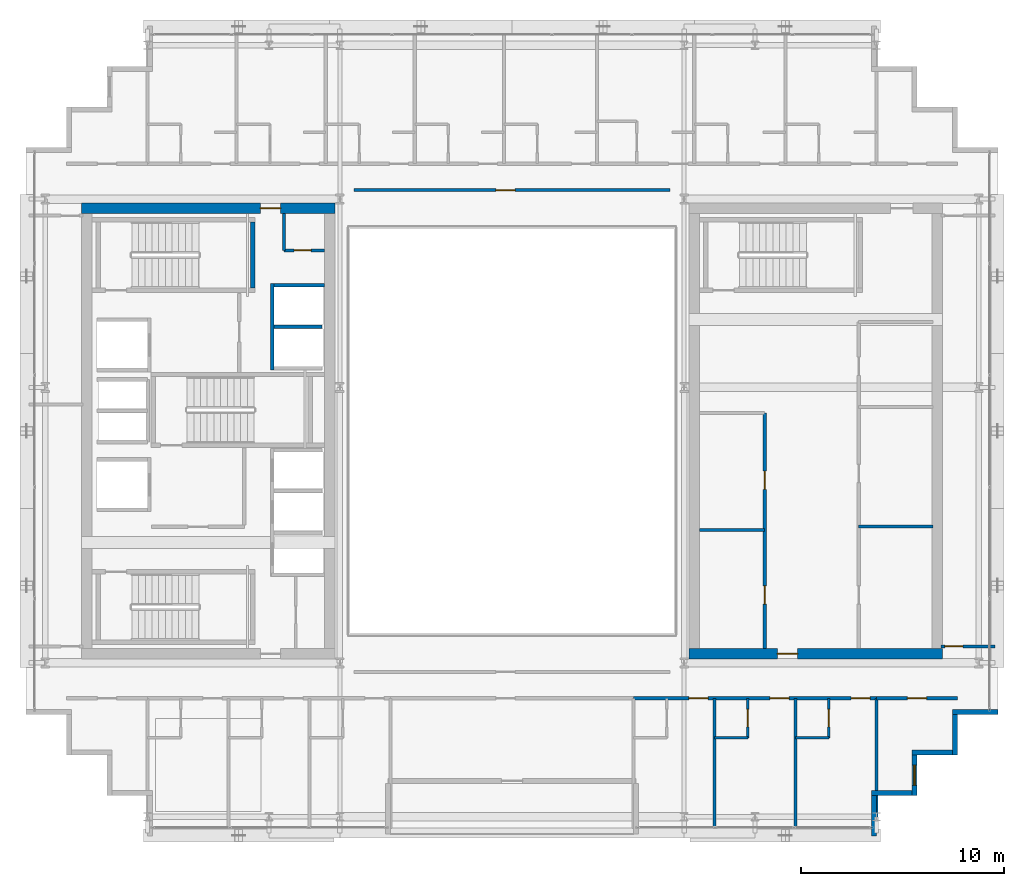
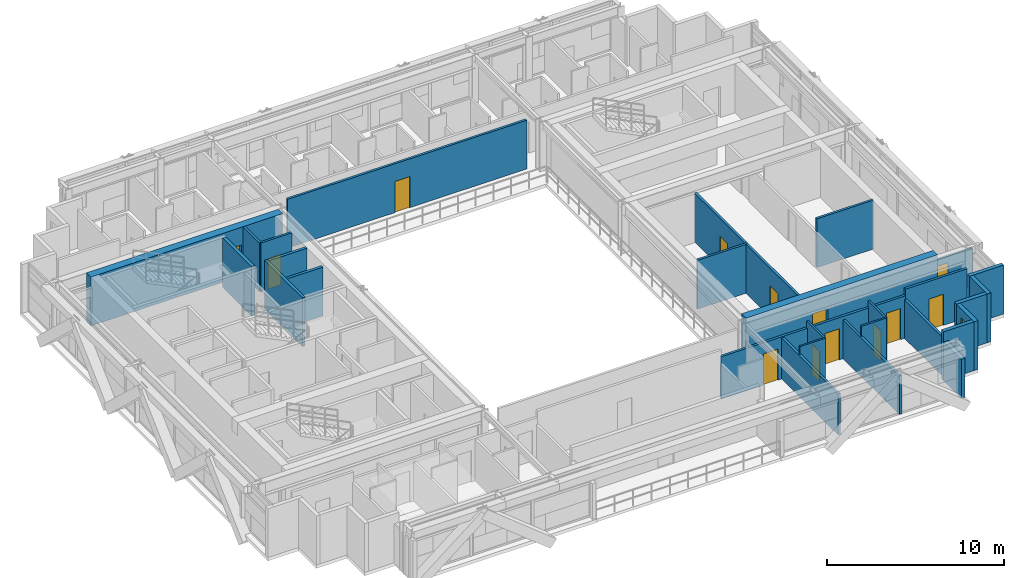
# One storey, part 25 of 32: 28 walls, 13 doors, 1 window, 14 openings.
"""IFC4 building model written with IfcOpenShell, lengths in metres."""

from ifc_helpers import new_model, si_unit, direction, frame, frame_2d, origin, place, context, subcontext, project, spatial, rectangle, extrude, source, transform, mapped, material, layer, layer_set, type_object, element, fill, save


model = new_model("IFC4")

# Units and contexts
model_context = context("Model", 3, precision=1e-05, world=origin(), true_north=direction((0.0, 1.0)))
body_context = subcontext(model_context, "Body", "Model", "MODEL_VIEW")
ifc_project = project(units=[si_unit("LENGTHUNIT", "METRE"), si_unit("AREAUNIT", "SQUARE_METRE"), si_unit("VOLUMEUNIT", "CUBIC_METRE"), si_unit("PLANEANGLEUNIT", "RADIAN"), si_unit("MASSUNIT", "GRAM", prefix="KILO")], contexts=[model_context])

# Site, building, storey
site_placement = place(None, origin())
site = spatial("IfcSite", under=ifc_project, at=site_placement, CompositionType="ELEMENT")
building_placement = place(site_placement, origin())
building = spatial("IfcBuilding", under=site, at=building_placement, Name="Ocotamira Hotel", CompositionType="ELEMENT")
storey_placement = place(building_placement, frame((0.0, 0.0, 166.800048828125)))
storey = spatial("IfcBuildingStorey", under=building, at=storey_placement, Name="L41", CompositionType="ELEMENT", Elevation=166.800048828125)

# Wall, opening, door
ifc_material_1 = material(Name="Concrete C50/60", Category="concrete")
ifc_layer_1 = layer(ifc_material_1, 0.5)
ifc_layer_set_1 = layer_set([ifc_layer_1], Name="Concrete C50/60")
wall_type_1 = type_object("IfcWallType", Name="WL-CORE-500", PredefinedType="SHEAR", material=ifc_layer_set_1)
wall_1_placement = place(storey_placement, frame((10.75, 37.0, 0.0), z_axis=(0.0, 0.0, 1.0), x_axis=(1.0, 0.0, 0.0)))
wall_1 = element("IfcWall", 1, at=wall_1_placement, inside=storey, type_object=wall_type_1, Name="L41 Shear Core Wall WCORE-N", PredefinedType="SHEAR", context=body_context, shape_type="SweptSolid", body=[
    extrude(rectangle(XDim=12.5, YDim=0.5, at=frame_2d((6.25, 0.0))), origin(), (0.0, 0.0, 1.0), 3.369873046875),
])
opening_1_placement = place(wall_1_placement, frame((8.830078125, 0.0, 0.0)))
opening_1 = element("IfcOpeningElement", 2, at=opening_1_placement, cuts=wall_1, Name="Opening D-FR2", PredefinedType="OPENING", context=body_context, shape_type="SweptSolid", body=[
    extrude(rectangle(XDim=1.0, YDim=2.14990234375, at=frame_2d((0.5, 1.074951171875))), frame((0.0, 0.260009765625, 0.0), z_axis=(0.0, -1.0, 0.0), x_axis=(1.0, 0.0, 0.0)), (0.0, 0.0, 1.0), 0.52001953125),
])
ifc_material_2 = material(Name="Fire-rated acoustic timber-veneer door", Category="wood")
door_type_1 = type_object("IfcDoorType", Name="DR-FIRE-1000", OperationType="NOTDEFINED", PredefinedType="DOOR", material=ifc_material_2)
shared_shape_1 = source(origin(), body_context, "Body", "SweptSolid", [
    extrude(rectangle(XDim=1.0, YDim=2.14990234375, at=frame_2d((0.5, 1.074951171875))), frame((0.0, 0.02490234375, 0.0), z_axis=(0.0, -1.0, 0.0), x_axis=(1.0, 0.0, 0.0)), (0.0, 0.0, 1.0), 0.050048828125),
])
door_1_placement = place(opening_1_placement, origin())
door_1 = element("IfcDoor", 3, at=door_1_placement, inside=storey, type_object=door_type_1, Name="L41 Door ID-L41-WLOB-N-D [ID-L41-WLOB-N-D]", OperationType="SINGLE_SWING_RIGHT", OverallHeight=2.14990234375, OverallWidth=1.0, PredefinedType="DOOR", context=body_context, shape_type="MappedRepresentation", body=[
    mapped(shared_shape_1, transform((0.0, 0.0, 0.0), scale=1.0)),
])
fill(opening_1, door_1)

wall_2_placement = place(storey_placement, frame((40.75, 15.0, 0.0), z_axis=(0.0, 0.0, 1.0), x_axis=(1.0, 0.0, 0.0)))
wall_2 = element("IfcWall", 4, at=wall_2_placement, inside=storey, type_object=wall_type_1, Name="L41 Shear Core Wall ECORE-S", PredefinedType="SHEAR", context=body_context, shape_type="SweptSolid", body=[
    extrude(rectangle(XDim=12.5, YDim=0.5, at=frame_2d((6.25, 0.0))), origin(), (0.0, 0.0, 1.0), 3.369873046875),
])
opening_2_placement = place(wall_2_placement, frame((4.35009765625, 0.0, 0.0)))
opening_2 = element("IfcOpeningElement", 5, at=opening_2_placement, cuts=wall_2, Name="Opening D-FR2", PredefinedType="OPENING", context=body_context, shape_type="SweptSolid", body=[
    extrude(rectangle(XDim=1.0, YDim=2.14990234375, at=frame_2d((0.5, 1.074951171875))), frame((0.0, 0.260009765625, 0.0), z_axis=(0.0, -1.0, 0.0), x_axis=(1.0, 0.0, 0.0)), (0.0, 0.0, 1.0), 0.52001953125),
])
door_2_placement = place(opening_2_placement, origin())
door_2 = element("IfcDoor", 6, at=door_2_placement, inside=storey, type_object=door_type_1, Name="L41 Door ID-L41-ELOB-S-D [ID-L41-ELOB-S-D]", OperationType="SINGLE_SWING_RIGHT", OverallHeight=2.14990234375, OverallWidth=1.0, PredefinedType="DOOR", context=body_context, shape_type="MappedRepresentation", body=[
    mapped(shared_shape_1, transform((0.0, 0.0, 0.0), scale=1.0)),
])
fill(opening_2, door_2)

# Walls
ifc_material_3 = material(Name="Precast concrete C45/55", Category="concrete")
ifc_layer_2 = layer(ifc_material_3, 0.25)
ifc_layer_set_2 = layer_set([ifc_layer_2], Name="Precast concrete C45/55")
wall_type_2 = type_object("IfcWallType", Name="WL-EXT-SER-250", PredefinedType="SOLIDWALL", material=ifc_layer_set_2)
wall_3_placement = place(storey_placement, frame((49.875, 6.0, 0.0), z_axis=(0.0, 0.0, 1.0), x_axis=(0.0, 1.0, 0.0)))
element("IfcWall", 7, at=wall_3_placement, inside=storey, type_object=wall_type_2, Name="L41 Serrated Corner Wall 01", PredefinedType="SOLIDWALL", context=body_context, shape_type="SweptSolid", body=[
    extrude(rectangle(XDim=2.0, YDim=0.25, at=frame_2d((1.0, 0.0))), origin(), (0.0, 0.0, 1.0), 2.677001953125),
])
wall_4_placement = place(storey_placement, frame((49.75, 8.125, 0.0), z_axis=(0.0, 0.0, 1.0), x_axis=(1.0, 0.0, 0.0)))
element("IfcWall", 8, at=wall_4_placement, inside=storey, type_object=wall_type_2, Name="L41 Serrated Corner Wall 02", PredefinedType="SOLIDWALL", context=body_context, shape_type="SweptSolid", body=[
    extrude(rectangle(XDim=2.0, YDim=0.25, at=frame_2d((1.0, 0.0))), origin(), (0.0, 0.0, 1.0), 3.369873046875),
])

# Wall, opening, window
wall_5_placement = place(storey_placement, frame((51.875, 8.0, 0.0), z_axis=(0.0, 0.0, 1.0), x_axis=(0.0, 1.0, 0.0)))
wall_5 = element("IfcWall", 9, at=wall_5_placement, inside=storey, type_object=wall_type_2, Name="L41 Serrated Corner Wall 03", PredefinedType="SOLIDWALL", context=body_context, shape_type="SweptSolid", body=[
    extrude(rectangle(XDim=2.0, YDim=0.25, at=frame_2d((1.0, 0.0))), origin(), (0.0, 0.0, 1.0), 3.369873046875),
])
opening_3_placement = place(wall_5_placement, frame((0.5, 0.0, 0.85009765625)))
opening_3 = element("IfcOpeningElement", 10, at=opening_3_placement, cuts=wall_5, Name="Opening WN-2", PredefinedType="OPENING", context=body_context, shape_type="SweptSolid", body=[
    extrude(rectangle(XDim=1.0, YDim=1.89990234375, at=frame_2d((0.5, 0.949951171875))), frame((0.0, 0.135009765625, 0.0), z_axis=(0.0, -1.0, 0.0), x_axis=(1.0, 0.0, 0.0)), (0.0, 0.0, 1.0), 0.27001953125),
])
ifc_material_4 = material(Name="Double-silver low-E solar glass", Category="glass")
window_type = type_object("IfcWindowType", Name="WIN-SER-1100", PartitioningType="SINGLE_PANEL", PredefinedType="WINDOW", material=ifc_material_4)
shared_shape_2 = source(origin(), body_context, "Body", "SweptSolid", [
    extrude(rectangle(XDim=1.0, YDim=1.89990234375, at=frame_2d((0.5, 0.949951171875))), frame((0.0, 0.030029296875, 0.0), z_axis=(0.0, -1.0, 0.0), x_axis=(1.0, 0.0, 0.0)), (0.0, 0.0, 1.0), 0.06005859375),
])
window_placement = place(opening_3_placement, origin())
window = element("IfcWindow", 11, at=window_placement, inside=storey, type_object=window_type, Name="L41 Serrated Corner Window 03", OverallHeight=1.89990234375, OverallWidth=1.0, PartitioningType="SINGLE_PANEL", PredefinedType="WINDOW", context=body_context, shape_type="MappedRepresentation", body=[
    mapped(shared_shape_2, transform((0.0, 0.0, 0.0), scale=1.0)),
])
fill(opening_3, window)

# Walls
for number, where, z_axis, x_axis, name in (
    (12, (51.75, 10.125, 0.0), (0.0, 0.0, 1.0), (1.0, 0.0, 0.0), "L41 Serrated Corner Wall 04"),
    (13, (53.875, 10.0, 0.0), (0.0, 0.0, 1.0), (0.0, 1.0, 0.0), "L41 Serrated Corner Wall 05"),
):
    element("IfcWall", number, at=place(storey_placement, frame(where, z_axis=z_axis, x_axis=x_axis)), inside=storey, type_object=wall_type_2, Name=name, PredefinedType="SOLIDWALL", context=body_context, shape_type="SweptSolid", body=[
        extrude(rectangle(XDim=2.0, YDim=0.25, at=frame_2d((1.0, 0.0))), origin(), (0.0, 0.0, 1.0), 3.369873046875),
    ])
wall_6_placement = place(storey_placement, frame((53.75, 12.125, 0.0), z_axis=(0.0, 0.0, 1.0), x_axis=(1.0, 0.0, 0.0)))
element("IfcWall", 14, at=wall_6_placement, inside=storey, type_object=wall_type_2, Name="L41 Serrated Corner Wall 06", PredefinedType="SOLIDWALL", context=body_context, shape_type="SweptSolid", body=[
    extrude(rectangle(XDim=2.25, YDim=0.25, at=frame_2d((1.125, 0.0))), origin(), (0.0, 0.0, 1.0), 3.369873046875),
])

# Wall, opening, door
ifc_material_5 = material(Name="Acoustic double-layer fire gypsum board partition", Category="gypsum")
ifc_layer_3 = layer(ifc_material_5, 0.159912109375)
ifc_layer_set_3 = layer_set([ifc_layer_3], Name="Acoustic double-layer fire gypsum board partition")
wall_type_3 = type_object("IfcWallType", Name="WL-FIRE-160", PredefinedType="PARTITIONING", material=ifc_layer_set_3)
wall_7_placement = place(storey_placement, frame((50.0, 12.800048828125, 0.0), z_axis=(0.0, 0.0, 1.0), x_axis=(1.0, 0.0, 0.0)))
wall_7 = element("IfcWall", 15, at=wall_7_placement, inside=storey, type_object=wall_type_3, Name="L41 Interior Wall PW-L41-Z3A-CSE-CW", PredefinedType="PARTITIONING", context=body_context, shape_type="SweptSolid", body=[
    extrude(rectangle(XDim=4.0, YDim=0.159912109375, at=frame_2d((2.0, 0.0))), origin(), (0.0, 0.0, 1.0), 3.369873046875),
])
opening_4_placement = place(wall_7_placement, frame((1.52001953125, 0.0, 0.0)))
opening_4 = element("IfcOpeningElement", 16, at=opening_4_placement, cuts=wall_7, Name="Opening D-SV4", PredefinedType="OPENING", context=body_context, shape_type="SweptSolid", body=[
    extrude(rectangle(XDim=0.9599609375, YDim=2.14990234375, at=frame_2d((0.47998046875, 1.074951171875))), frame((0.0, 0.08984375, 0.0), z_axis=(0.0, -1.0, 0.0), x_axis=(1.0, 0.0, 0.0)), (0.0, 0.0, 1.0), 0.179931640625),
])
ifc_material_6 = material(Name="Fire-rated accessible walnut salon door", Category="wood")
door_type_2 = type_object("IfcDoorType", Name="DR-SERV-960", OperationType="NOTDEFINED", PredefinedType="DOOR", material=ifc_material_6)
shared_shape_3 = source(origin(), body_context, "Body", "SweptSolid", [
    extrude(rectangle(XDim=0.9599609375, YDim=2.14990234375, at=frame_2d((0.47998046875, 1.074951171875))), frame((0.0, 0.02490234375, 0.0), z_axis=(0.0, -1.0, 0.0), x_axis=(1.0, 0.0, 0.0)), (0.0, 0.0, 1.0), 0.050048828125),
])
door_3_placement = place(opening_4_placement, origin())
door_3 = element("IfcDoor", 17, at=door_3_placement, inside=storey, type_object=door_type_2, Name="L41 Door ID-L41-Z3A-CSE-CD [ID-L41-Z3A-CSE-CD]", OperationType="SINGLE_SWING_LEFT", OverallHeight=2.14990234375, OverallWidth=0.9599609375, PredefinedType="DOOR", context=body_context, shape_type="MappedRepresentation", body=[
    mapped(shared_shape_3, transform((0.0, 0.0, 0.0), scale=1.0)),
])
fill(opening_4, door_3)

# Wall, openings, doors
wall_8_placement = place(storey_placement, frame((38.0, 12.800048828125, 0.0), z_axis=(0.0, 0.0, 1.0), x_axis=(1.0, 0.0, 0.0)))
wall_8 = element("IfcWall", 18, at=wall_8_placement, inside=storey, type_object=wall_type_3, Name="L41 Interior Wall PW-L41-Z3ASE-CORRW", PredefinedType="PARTITIONING", context=body_context, shape_type="SweptSolid", body=[
    extrude(rectangle(XDim=12.0, YDim=0.159912109375, at=frame_2d((6.0, 0.0))), origin(), (0.0, 0.0, 1.0), 2.912841796875),
])
opening_5_placement = place(wall_8_placement, frame((2.739990234375, 0.0, 0.0)))
opening_5 = element("IfcOpeningElement", 19, at=opening_5_placement, cuts=wall_8, Name="Opening D-GR1", PredefinedType="OPENING", context=body_context, shape_type="SweptSolid", body=[
    extrude(rectangle(XDim=0.93994140625, YDim=2.14990234375, at=frame_2d((0.469970703125, 1.074951171875))), frame((0.0, 0.08984375, 0.0), z_axis=(0.0, -1.0, 0.0), x_axis=(1.0, 0.0, 0.0)), (0.0, 0.0, 1.0), 0.179931640625),
])
opening_6_placement = place(wall_8_placement, frame((6.739990234375, 0.0, 0.0)))
opening_6 = element("IfcOpeningElement", 20, at=opening_6_placement, cuts=wall_8, Name="Opening D-GR1", PredefinedType="OPENING", context=body_context, shape_type="SweptSolid", body=[
    extrude(rectangle(XDim=0.93994140625, YDim=2.14990234375, at=frame_2d((0.469970703125, 1.074951171875))), frame((0.0, 0.08984375, 0.0), z_axis=(0.0, -1.0, 0.0), x_axis=(1.0, 0.0, 0.0)), (0.0, 0.0, 1.0), 0.179931640625),
])
opening_7_placement = place(wall_8_placement, frame((10.739990234375, 0.0, 0.0)))
opening_7 = element("IfcOpeningElement", 21, at=opening_7_placement, cuts=wall_8, Name="Opening D-GR1", PredefinedType="OPENING", context=body_context, shape_type="SweptSolid", body=[
    extrude(rectangle(XDim=0.93994140625, YDim=2.14990234375, at=frame_2d((0.469970703125, 1.074951171875))), frame((0.0, 0.08984375, 0.0), z_axis=(0.0, -1.0, 0.0), x_axis=(1.0, 0.0, 0.0)), (0.0, 0.0, 1.0), 0.179931640625),
])
ifc_material_7 = material(Name="Solid-core walnut suite entrance fire door", Category="wood")
door_type_3 = type_object("IfcDoorType", Name="DR-GUEST-940", OperationType="NOTDEFINED", PredefinedType="DOOR", material=ifc_material_7)
shared_shape_4 = source(origin(), body_context, "Body", "SweptSolid", [
    extrude(rectangle(XDim=0.93994140625, YDim=2.14990234375, at=frame_2d((0.469970703125, 1.074951171875))), frame((0.0, 0.02490234375, 0.0), z_axis=(0.0, -1.0, 0.0), x_axis=(1.0, 0.0, 0.0)), (0.0, 0.0, 1.0), 0.050048828125),
])
door_4_placement = place(opening_5_placement, origin())
door_4 = element("IfcDoor", 22, at=door_4_placement, inside=storey, type_object=door_type_3, Name="L41 Door ID-L41-Z3ASE-RMD1 [ID-L41-Z3ASE-RMD1]", OperationType="SINGLE_SWING_LEFT", OverallHeight=2.14990234375, OverallWidth=0.93994140625, PredefinedType="DOOR", context=body_context, shape_type="MappedRepresentation", body=[
    mapped(shared_shape_4, transform((0.0, 0.0, 0.0), scale=1.0)),
])
fill(opening_5, door_4)
door_5_placement = place(opening_6_placement, origin())
door_5 = element("IfcDoor", 23, at=door_5_placement, inside=storey, type_object=door_type_3, Name="L41 Door ID-L41-Z3ASE-RMD2 [ID-L41-Z3ASE-RMD2]", OperationType="SINGLE_SWING_RIGHT", OverallHeight=2.14990234375, OverallWidth=0.93994140625, PredefinedType="DOOR", context=body_context, shape_type="MappedRepresentation", body=[
    mapped(shared_shape_4, transform((0.0, 0.0, 0.0), scale=1.0)),
])
fill(opening_6, door_5)
door_6_placement = place(opening_7_placement, origin())
door_6 = element("IfcDoor", 24, at=door_6_placement, inside=storey, type_object=door_type_3, Name="L41 Door ID-L41-Z3ASE-RMD3 [ID-L41-Z3ASE-RMD3]", OperationType="SINGLE_SWING_LEFT", OverallHeight=2.14990234375, OverallWidth=0.93994140625, PredefinedType="DOOR", context=body_context, shape_type="MappedRepresentation", body=[
    mapped(shared_shape_4, transform((0.0, 0.0, 0.0), scale=1.0)),
])
fill(opening_7, door_6)

# Wall, opening, door
ifc_material_8 = material(Name="Moisture-resistant en-suite tile and gypsum partition", Category="gypsum")
ifc_layer_4 = layer(ifc_material_8, 0.1201171875)
ifc_layer_set_4 = layer_set([ifc_layer_4], Name="Moisture-resistant en-suite tile and gypsum partition")
wall_type_4 = type_object("IfcWallType", Name="WL-PART-120", PredefinedType="PARTITIONING", material=ifc_layer_set_4)
wall_9_placement = place(storey_placement, frame((43.64990234375, 10.85009765625, 0.0), z_axis=(0.0, 0.0, 1.0), x_axis=(0.0, 1.0, 0.0)))
wall_9 = element("IfcWall", 25, at=wall_9_placement, inside=storey, type_object=wall_type_4, Name="L41 Interior Wall PW-L41-Z3ASE-BAE2", PredefinedType="PARTITIONING", context=body_context, shape_type="SweptSolid", body=[
    extrude(rectangle(XDim=1.949951171875, YDim=0.1201171875, at=frame_2d((0.97509765625, 0.0))), origin(), (0.0, 0.0, 1.0), 3.369873046875),
])
opening_8_placement = place(wall_9_placement, frame((0.544921875, 0.0, 0.0)))
opening_8 = element("IfcOpeningElement", 26, at=opening_8_placement, cuts=wall_9, Name="Opening D-BA1", PredefinedType="OPENING", context=body_context, shape_type="SweptSolid", body=[
    extrude(rectangle(XDim=0.860107421875, YDim=2.10009765625, at=frame_2d((0.43017578125, 1.050048828125))), frame((0.0, 0.070068359375, 0.0), z_axis=(0.0, -1.0, 0.0), x_axis=(1.0, 0.0, 0.0)), (0.0, 0.0, 1.0), 0.14013671875),
])
ifc_material_9 = material(Name="Moisture-sealed en-suite timber door", Category="wood")
door_type_4 = type_object("IfcDoorType", Name="DR-BATH-860", OperationType="NOTDEFINED", PredefinedType="DOOR", material=ifc_material_9)
shared_shape_5 = source(origin(), body_context, "Body", "SweptSolid", [
    extrude(rectangle(XDim=0.860107421875, YDim=2.10009765625, at=frame_2d((0.43017578125, 1.050048828125))), frame((0.0, 0.02490234375, 0.0), z_axis=(0.0, -1.0, 0.0), x_axis=(1.0, 0.0, 0.0)), (0.0, 0.0, 1.0), 0.050048828125),
])
door_7_placement = place(opening_8_placement, origin())
door_7 = element("IfcDoor", 27, at=door_7_placement, inside=storey, type_object=door_type_4, Name="L41 Door ID-L41-Z3ASE-BAD2 [ID-L41-Z3ASE-BAD2]", OperationType="SINGLE_SWING_LEFT", OverallHeight=2.10009765625, OverallWidth=0.860107421875, PredefinedType="DOOR", context=body_context, shape_type="MappedRepresentation", body=[
    mapped(shared_shape_5, transform((0.0, 0.0, 0.0), scale=1.0)),
])
fill(opening_8, door_7)

# Wall
wall_10_placement = place(storey_placement, frame((42.0, 10.85009765625, 0.0), z_axis=(0.0, 0.0, 1.0), x_axis=(1.0, 0.0, 0.0)))
element("IfcWall", 28, at=wall_10_placement, inside=storey, type_object=wall_type_4, Name="L41 Interior Wall PW-L41-Z3ASE-BAS2", PredefinedType="PARTITIONING", context=body_context, shape_type="SweptSolid", body=[
    extrude(rectangle(XDim=1.64990234375, YDim=0.1201171875, at=frame_2d((0.824951171875, 0.0))), origin(), (0.0, 0.0, 1.0), 3.369873046875),
])

# Wall, opening, door
wall_11_placement = place(storey_placement, frame((47.64990234375, 10.85009765625, 0.0), z_axis=(0.0, 0.0, 1.0), x_axis=(0.0, 1.0, 0.0)))
wall_11 = element("IfcWall", 29, at=wall_11_placement, inside=storey, type_object=wall_type_4, Name="L41 Interior Wall PW-L41-Z3ASE-BAE3", PredefinedType="PARTITIONING", context=body_context, shape_type="SweptSolid", body=[
    extrude(rectangle(XDim=1.949951171875, YDim=0.1201171875, at=frame_2d((0.97509765625, 0.0))), origin(), (0.0, 0.0, 1.0), 3.369873046875),
])
opening_9_placement = place(wall_11_placement, frame((0.544921875, 0.0, 0.0)))
opening_9 = element("IfcOpeningElement", 30, at=opening_9_placement, cuts=wall_11, Name="Opening D-BA1", PredefinedType="OPENING", context=body_context, shape_type="SweptSolid", body=[
    extrude(rectangle(XDim=0.860107421875, YDim=2.10009765625, at=frame_2d((0.43017578125, 1.050048828125))), frame((0.0, 0.070068359375, 0.0), z_axis=(0.0, -1.0, 0.0), x_axis=(1.0, 0.0, 0.0)), (0.0, 0.0, 1.0), 0.14013671875),
])
door_8_placement = place(opening_9_placement, origin())
door_8 = element("IfcDoor", 31, at=door_8_placement, inside=storey, type_object=door_type_4, Name="L41 Door ID-L41-Z3ASE-BAD3 [ID-L41-Z3ASE-BAD3]", OperationType="SINGLE_SWING_RIGHT", OverallHeight=2.10009765625, OverallWidth=0.860107421875, PredefinedType="DOOR", context=body_context, shape_type="MappedRepresentation", body=[
    mapped(shared_shape_5, transform((0.0, 0.0, 0.0), scale=1.0)),
])
fill(opening_9, door_8)

# Walls
wall_12_placement = place(storey_placement, frame((46.0, 10.85009765625, 0.0), z_axis=(0.0, 0.0, 1.0), x_axis=(1.0, 0.0, 0.0)))
element("IfcWall", 32, at=wall_12_placement, inside=storey, type_object=wall_type_4, Name="L41 Interior Wall PW-L41-Z3ASE-BAS3", PredefinedType="PARTITIONING", context=body_context, shape_type="SweptSolid", body=[
    extrude(rectangle(XDim=1.64990234375, YDim=0.1201171875, at=frame_2d((0.824951171875, 0.0))), origin(), (0.0, 0.0, 1.0), 3.369873046875),
])
ifc_material_10 = material(Name="Acoustic hospitality gypsum board partition", Category="gypsum")
ifc_layer_5 = layer(ifc_material_10, 0.14208984375)
ifc_layer_set_5 = layer_set([ifc_layer_5], Name="Acoustic hospitality gypsum board partition")
wall_type_5 = type_object("IfcWallType", Name="WL-PART-142", PredefinedType="PARTITIONING", material=ifc_layer_set_5)
wall_13_placement = place(storey_placement, frame((20.739990234375, 34.919921875, 0.0), z_axis=(0.0, 0.0, 1.0), x_axis=(0.0, 1.0, 0.0)))
element("IfcWall", 33, at=wall_13_placement, inside=storey, type_object=wall_type_5, Name="L41 Interior Wall PW-L41-WC-NE-W1", PredefinedType="PARTITIONING", context=body_context, shape_type="SweptSolid", body=[
    extrude(rectangle(XDim=1.830078125, YDim=0.14208984375, at=frame_2d((0.9150390625, 0.0))), origin(), (0.0, 0.0, 1.0), 3.369873046875),
])

# Wall, opening, door
wall_14_placement = place(storey_placement, frame((20.739990234375, 34.919921875, 0.0), z_axis=(0.0, 0.0, 1.0), x_axis=(1.0, 0.0, 0.0)))
wall_14 = element("IfcWall", 34, at=wall_14_placement, inside=storey, type_object=wall_type_5, Name="L41 Interior Wall PW-L41-WC-NE-S1", PredefinedType="PARTITIONING", context=body_context, shape_type="SweptSolid", body=[
    extrude(rectangle(XDim=2.010009765625, YDim=0.14208984375, at=frame_2d((1.0048828125, 0.0))), origin(), (0.0, 0.0, 1.0), 3.369873046875),
])
opening_10_placement = place(wall_14_placement, frame((0.5, 0.0, 0.0)))
opening_10 = element("IfcOpeningElement", 35, at=opening_10_placement, cuts=wall_14, Name="Opening D-SV1", PredefinedType="OPENING", context=body_context, shape_type="SweptSolid", body=[
    extrude(rectangle(XDim=0.840087890625, YDim=2.10009765625, at=frame_2d((0.419921875, 1.050048828125))), frame((0.0, 0.0810546875, 0.0), z_axis=(0.0, -1.0, 0.0), x_axis=(1.0, 0.0, 0.0)), (0.0, 0.0, 1.0), 0.162109375),
])
ifc_material_11 = material(Name="Fire-rated painted steel service door", Category="steel")
door_type_5 = type_object("IfcDoorType", Name="DR-SERV-840", OperationType="NOTDEFINED", PredefinedType="DOOR", material=ifc_material_11)
shared_shape_6 = source(origin(), body_context, "Body", "SweptSolid", [
    extrude(rectangle(XDim=0.840087890625, YDim=2.10009765625, at=frame_2d((0.419921875, 1.050048828125))), frame((0.0, 0.02490234375, 0.0), z_axis=(0.0, -1.0, 0.0), x_axis=(1.0, 0.0, 0.0)), (0.0, 0.0, 1.0), 0.050048828125),
])
door_9_placement = place(opening_10_placement, origin())
door_9 = element("IfcDoor", 36, at=door_9_placement, inside=storey, type_object=door_type_5, Name="L41 Door ID-L41-WC-NE-D1 [ID-L41-WC-NE-D1]", OperationType="SINGLE_SWING_LEFT", OverallHeight=2.10009765625, OverallWidth=0.840087890625, PredefinedType="DOOR", context=body_context, shape_type="MappedRepresentation", body=[
    mapped(shared_shape_6, transform((0.0, 0.0, 0.0), scale=1.0)),
])
fill(opening_10, door_9)

# Walls
ifc_layer_6 = layer(ifc_material_10, 0.14990234375)
ifc_layer_set_6 = layer_set([ifc_layer_6], Name="Acoustic hospitality gypsum board partition")
wall_type_6 = type_object("IfcWallType", Name="WL-PART-150", PredefinedType="PARTITIONING", material=ifc_layer_set_6)
wall_15_placement = place(storey_placement, frame((49.1201171875, 21.2900390625, 0.0), z_axis=(0.0, 0.0, 1.0), x_axis=(1.0, 0.0, 0.0)))
element("IfcWall", 37, at=wall_15_placement, inside=storey, type_object=wall_type_6, Name="L41 Interior Wall PW-L41-EC-FDIV1", PredefinedType="PARTITIONING", context=body_context, shape_type="SweptSolid", body=[
    extrude(rectangle(XDim=3.679931640625, YDim=0.14990234375, at=frame_2d((1.83984375, 0.0))), origin(), (0.0, 0.0, 1.0), 3.369873046875),
])
wall_16_placement = place(storey_placement, frame((41.25, 21.1201171875, 0.0), z_axis=(0.0, 0.0, 1.0), x_axis=(1.0, 0.0, 0.0)))
element("IfcWall", 38, at=wall_16_placement, inside=storey, type_object=wall_type_6, Name="L41 Interior Wall PW-L41-EC-FMID-DIV", PredefinedType="PARTITIONING", context=body_context, shape_type="SweptSolid", body=[
    extrude(rectangle(XDim=3.22998046875, YDim=0.14990234375, at=frame_2d((1.614990234375, 0.0))), origin(), (0.0, 0.0, 1.0), 3.369873046875),
])

# Wall, openings, doors
wall_17_placement = place(storey_placement, frame((44.47998046875, 15.25, 0.0), z_axis=(0.0, 0.0, 1.0), x_axis=(0.0, 1.0, 0.0)))
wall_17 = element("IfcWall", 39, at=wall_17_placement, inside=storey, type_object=wall_type_6, Name="L41 Interior Wall PW-L41-EC-FMID-E", PredefinedType="PARTITIONING", context=body_context, shape_type="SweptSolid", body=[
    extrude(rectangle(XDim=11.6298828125, YDim=0.14990234375, at=frame_2d((5.81494140625, 0.0))), origin(), (0.0, 0.0, 1.0), 3.369873046875),
])
opening_11_placement = place(wall_17_placement, frame((2.199951171875, 0.0, 0.0)))
opening_11 = element("IfcOpeningElement", 40, at=opening_11_placement, cuts=wall_17, Name="Opening D-IN3", PredefinedType="OPENING", context=body_context, shape_type="SweptSolid", body=[
    extrude(rectangle(XDim=0.89990234375, YDim=2.14990234375, at=frame_2d((0.449951171875, 1.074951171875))), frame((0.0, 0.0849609375, 0.0), z_axis=(0.0, -1.0, 0.0), x_axis=(1.0, 0.0, 0.0)), (0.0, 0.0, 1.0), 0.169921875),
])
opening_12_placement = place(wall_17_placement, frame((7.8701171875, 0.0, 0.0)))
opening_12 = element("IfcOpeningElement", 41, at=opening_12_placement, cuts=wall_17, Name="Opening D-IN3", PredefinedType="OPENING", context=body_context, shape_type="SweptSolid", body=[
    extrude(rectangle(XDim=0.89990234375, YDim=2.14990234375, at=frame_2d((0.449951171875, 1.074951171875))), frame((0.0, 0.0849609375, 0.0), z_axis=(0.0, -1.0, 0.0), x_axis=(1.0, 0.0, 0.0)), (0.0, 0.0, 1.0), 0.169921875),
])
ifc_material_12 = material(Name="Painted service room door", Category="steel")
door_type_6 = type_object("IfcDoorType", Name="DR-INT-900", OperationType="NOTDEFINED", PredefinedType="DOOR", material=ifc_material_12)
shared_shape_7 = source(origin(), body_context, "Body", "SweptSolid", [
    extrude(rectangle(XDim=0.89990234375, YDim=2.14990234375, at=frame_2d((0.449951171875, 1.074951171875))), frame((0.0, 0.02490234375, 0.0), z_axis=(0.0, -1.0, 0.0), x_axis=(1.0, 0.0, 0.0)), (0.0, 0.0, 1.0), 0.050048828125),
])
door_10_placement = place(opening_11_placement, origin())
door_10 = element("IfcDoor", 42, at=door_10_placement, inside=storey, type_object=door_type_6, Name="L41 Door ID-L41-EC-FMID-D1 [ID-L41-EC-FMID-D1]", OperationType="SINGLE_SWING_RIGHT", OverallHeight=2.14990234375, OverallWidth=0.89990234375, PredefinedType="DOOR", context=body_context, shape_type="MappedRepresentation", body=[
    mapped(shared_shape_7, transform((0.0, 0.0, 0.0), scale=1.0)),
])
fill(opening_11, door_10)
door_11_placement = place(opening_12_placement, origin())
door_11 = element("IfcDoor", 43, at=door_11_placement, inside=storey, type_object=door_type_6, Name="L41 Door ID-L41-EC-FMID-D2 [ID-L41-EC-FMID-D2]", OperationType="SINGLE_SWING_LEFT", OverallHeight=2.14990234375, OverallWidth=0.89990234375, PredefinedType="DOOR", context=body_context, shape_type="MappedRepresentation", body=[
    mapped(shared_shape_7, transform((0.0, 0.0, 0.0), scale=1.0)),
])
fill(opening_12, door_11)

# Wall, opening, door
wall_18_placement = place(storey_placement, frame((24.199951171875, 37.89990234375, 0.0), z_axis=(0.0, 0.0, 1.0), x_axis=(1.0, 0.0, 0.0)))
wall_18 = element("IfcWall", 44, at=wall_18_placement, inside=storey, type_object=wall_type_6, Name="L41 Interior Wall PW-L41-Z3A-ATRNW", PredefinedType="PARTITIONING", context=body_context, shape_type="SweptSolid", body=[
    extrude(rectangle(XDim=15.60009765625, YDim=0.14990234375, at=frame_2d((7.800048828125, 0.0))), origin(), (0.0, 0.0, 1.0), 3.369873046875),
])
opening_13_placement = place(wall_18_placement, frame((7.0, 0.0, 0.0)))
opening_13 = element("IfcOpeningElement", 45, at=opening_13_placement, cuts=wall_18, Name="Opening D-SV4", PredefinedType="OPENING", context=body_context, shape_type="SweptSolid", body=[
    extrude(rectangle(XDim=0.9599609375, YDim=2.14990234375, at=frame_2d((0.47998046875, 1.074951171875))), frame((0.0, 0.0849609375, 0.0), z_axis=(0.0, -1.0, 0.0), x_axis=(1.0, 0.0, 0.0)), (0.0, 0.0, 1.0), 0.169921875),
])
door_12_placement = place(opening_13_placement, origin())
door_12 = element("IfcDoor", 46, at=door_12_placement, inside=storey, type_object=door_type_2, Name="L41 Door ID-L41-Z3A-AND [ID-L41-Z3A-AND]", OperationType="SINGLE_SWING_RIGHT", OverallHeight=2.14990234375, OverallWidth=0.9599609375, PredefinedType="DOOR", context=body_context, shape_type="MappedRepresentation", body=[
    mapped(shared_shape_3, transform((0.0, 0.0, 0.0), scale=1.0)),
])
fill(opening_13, door_12)

wall_19_placement = place(storey_placement, frame((53.179931640625, 15.360107421875, 0.0), z_axis=(0.0, 0.0, 1.0), x_axis=(1.0, 0.0, 0.0)))
wall_19 = element("IfcWall", 47, at=wall_19_placement, inside=storey, type_object=wall_type_6, Name="L41 Interior Wall PW-L41-Z3A-EF-WS", PredefinedType="PARTITIONING", context=body_context, shape_type="SweptSolid", body=[
    extrude(rectangle(XDim=2.66015625, YDim=0.14990234375, at=frame_2d((1.330078125, 0.0))), origin(), (0.0, 0.0, 1.0), 2.591064453125),
])
opening_14_placement = place(wall_19_placement, frame((0.199951171875, 0.0, 0.0)))
opening_14 = element("IfcOpeningElement", 48, at=opening_14_placement, cuts=wall_19, Name="Opening D-SV2", PredefinedType="OPENING", context=body_context, shape_type="SweptSolid", body=[
    extrude(rectangle(XDim=0.8798828125, YDim=2.14990234375, at=frame_2d((0.43994140625, 1.074951171875))), frame((0.0, 0.0849609375, 0.0), z_axis=(0.0, -1.0, 0.0), x_axis=(1.0, 0.0, 0.0)), (0.0, 0.0, 1.0), 0.169921875),
])
door_type_7 = type_object("IfcDoorType", Name="DR-SERV-880", OperationType="NOTDEFINED", PredefinedType="DOOR", material=ifc_material_11)
shared_shape_8 = source(origin(), body_context, "Body", "SweptSolid", [
    extrude(rectangle(XDim=0.8798828125, YDim=2.14990234375, at=frame_2d((0.43994140625, 1.074951171875))), frame((0.0, 0.02490234375, 0.0), z_axis=(0.0, -1.0, 0.0), x_axis=(1.0, 0.0, 0.0)), (0.0, 0.0, 1.0), 0.050048828125),
])
door_13_placement = place(opening_14_placement, origin())
door_13 = element("IfcDoor", 49, at=door_13_placement, inside=storey, type_object=door_type_7, Name="L41 Door ID-L41-Z3A-EF-DS [ID-L41-Z3A-EF-DS]", OperationType="SINGLE_SWING_RIGHT", OverallHeight=2.14990234375, OverallWidth=0.8798828125, PredefinedType="DOOR", context=body_context, shape_type="MappedRepresentation", body=[
    mapped(shared_shape_8, transform((0.0, 0.0, 0.0), scale=1.0)),
])
fill(opening_14, door_13)

# Walls
ifc_material_13 = material(Name="Acoustic double-stud hospitality gypsum partition", Category="gypsum")
ifc_layer_7 = layer(ifc_material_13, 0.159912109375)
ifc_layer_set_7 = layer_set([ifc_layer_7], Name="Acoustic double-stud hospitality gypsum partition")
wall_type_7 = type_object("IfcWallType", Name="WL-PART-160", PredefinedType="PARTITIONING", material=ifc_layer_set_7)
wall_20_placement = place(storey_placement, frame((50.0, 6.360107421875, 0.0), z_axis=(0.0, 0.0, 1.0), x_axis=(0.0, 1.0, 0.0)))
element("IfcWall", 50, at=wall_20_placement, inside=storey, type_object=wall_type_7, Name="L41 Interior Wall PW-L41-Z3ASE-PWEND", PredefinedType="PARTITIONING", context=body_context, shape_type="SweptSolid", body=[
    extrude(rectangle(XDim=6.43994140625, YDim=0.159912109375, at=frame_2d((3.219970703125, 0.0))), origin(), (0.0, 0.0, 1.0), 2.677001953125),
])
wall_21_placement = place(storey_placement, frame((42.0, 6.360107421875, 0.0), z_axis=(0.0, 0.0, 1.0), x_axis=(0.0, 1.0, 0.0)))
element("IfcWall", 51, at=wall_21_placement, inside=storey, type_object=wall_type_7, Name="L41 Interior Wall PW-L41-Z3ASE-PW1", PredefinedType="PARTITIONING", context=body_context, shape_type="SweptSolid", body=[
    extrude(rectangle(XDim=6.43994140625, YDim=0.159912109375, at=frame_2d((3.219970703125, 0.0))), origin(), (0.0, 0.0, 1.0), 2.8330078125),
])
wall_22_placement = place(storey_placement, frame((46.0, 6.360107421875, 0.0), z_axis=(0.0, 0.0, 1.0), x_axis=(0.0, 1.0, 0.0)))
element("IfcWall", 52, at=wall_22_placement, inside=storey, type_object=wall_type_7, Name="L41 Interior Wall PW-L41-Z3ASE-PW2", PredefinedType="PARTITIONING", context=body_context, shape_type="SweptSolid", body=[
    extrude(rectangle(XDim=6.43994140625, YDim=0.159912109375, at=frame_2d((3.219970703125, 0.0))), origin(), (0.0, 0.0, 1.0), 2.677001953125),
])
ifc_material_14 = material(Name="Fire-rated gypsum shaftliner board assembly", Category="gypsum")
ifc_layer_8 = layer(ifc_material_14, 0.179931640625)
ifc_layer_set_8 = layer_set([ifc_layer_8], Name="Fire-rated gypsum shaftliner board assembly")
wall_type_8 = type_object("IfcWallType", Name="WL-SHAFT-180", PredefinedType="SOLIDWALL", material=ifc_layer_set_8)
wall_23_placement = place(storey_placement, frame((20.159912109375, 29.0, 0.0), z_axis=(0.0, 0.0, 1.0), x_axis=(0.0, 1.0, 0.0)))
element("IfcWall", 53, at=wall_23_placement, inside=storey, type_object=wall_type_8, Name="L41 Interior Wall PW-L41-LFW-BANK-obs-F", PredefinedType="SOLIDWALL", context=body_context, shape_type="SweptSolid", body=[
    extrude(rectangle(XDim=4.2900390625, YDim=0.179931640625, at=frame_2d((2.14501953125, 0.0))), origin(), (0.0, 0.0, 1.0), 3.369873046875),
])
wall_24_placement = place(storey_placement, frame((20.25, 33.199951171875, 0.0), z_axis=(0.0, 0.0, 1.0), x_axis=(1.0, 0.0, 0.0)))
element("IfcWall", 54, at=wall_24_placement, inside=storey, type_object=wall_type_8, Name="L41 Interior Wall PW-L41-LFW-BANK-obs-N", PredefinedType="SOLIDWALL", context=body_context, shape_type="SweptSolid", body=[
    extrude(rectangle(XDim=2.5, YDim=0.179931640625, at=frame_2d((1.25, 0.0))), origin(), (0.0, 0.0, 1.0), 3.369873046875),
])
wall_25_placement = place(storey_placement, frame((20.25, 31.14501953125, 0.0), z_axis=(0.0, 0.0, 1.0), x_axis=(1.0, 0.0, 0.0)))
element("IfcWall", 55, at=wall_25_placement, inside=storey, type_object=wall_type_8, Name="L41 Interior Wall PW-L41-LFW-DIV-LF-OBS1", PredefinedType="SOLIDWALL", context=body_context, shape_type="SweptSolid", body=[
    extrude(rectangle(XDim=2.360107421875, YDim=0.179931640625, at=frame_2d((1.18017578125, 0.0))), origin(), (0.0, 0.0, 1.0), 3.369873046875),
])
ifc_layer_9 = layer(ifc_material_1, 0.219970703125)
ifc_layer_set_9 = layer_set([ifc_layer_9], Name="Concrete C50/60")
wall_type_9 = type_object("IfcWallType", Name="WL-STAIR-220", PredefinedType="SHEAR", material=ifc_layer_set_9)
wall_26_placement = place(storey_placement, frame((19.199951171875, 33.050048828125, 0.0), z_axis=(0.0, 0.0, 1.0), x_axis=(0.0, 1.0, 0.0)))
element("IfcWall", 56, at=wall_26_placement, inside=storey, type_object=wall_type_9, Name="L41 Stair Shaft Structural Wall ST-2-E", PredefinedType="SHEAR", context=body_context, shape_type="SweptSolid", body=[
    extrude(rectangle(XDim=3.280029296875, YDim=0.219970703125, at=frame_2d((1.64013671875, 0.0))), origin(), (0.0, 0.0, 1.0), 3.39990234375),
])

save(model, "model.ifc")
